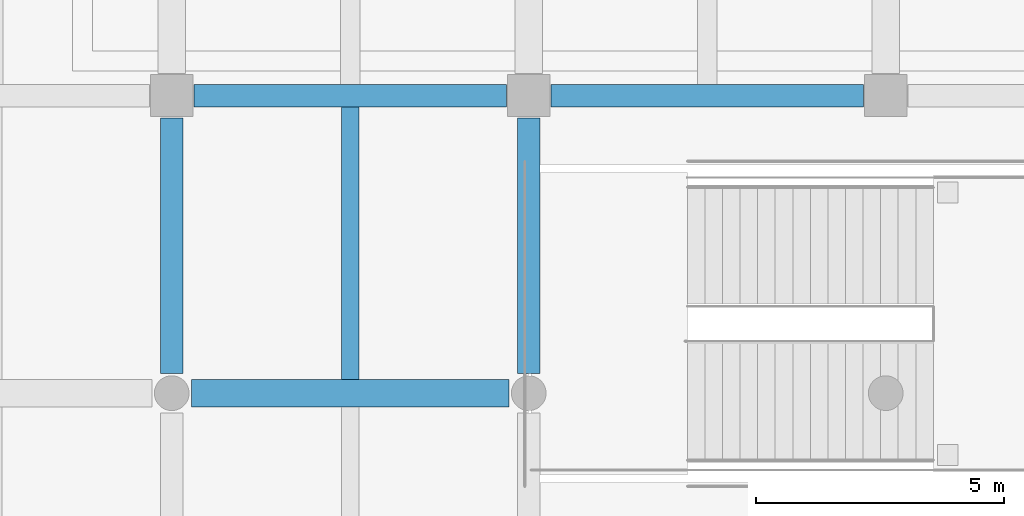
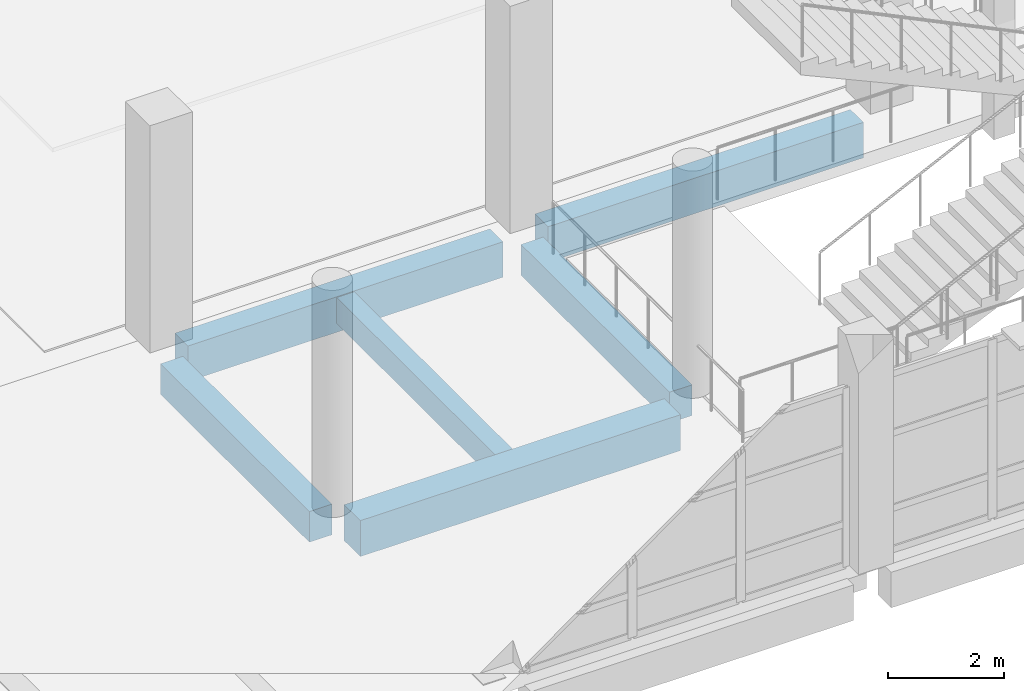
# One storey, part 34 of 91: 6 beams.
"""IFC4 building model written with IfcOpenShell, lengths in metres."""

from ifc_helpers import new_model, si_unit, direction, frame, origin, origin_2d, place, context, subcontext, project, spatial, rectangle, extrude, material, material_profile, profile_set, type_object, element, save


model = new_model("IFC4")

# Units and contexts
model_context = context("Model", 3, precision=1e-05, world=origin(), true_north=direction((0.0, 1.0)))
body_context = subcontext(model_context, "Body", "Model", "MODEL_VIEW")
ifc_project = project(units=[si_unit("LENGTHUNIT", "METRE"), si_unit("AREAUNIT", "SQUARE_METRE"), si_unit("VOLUMEUNIT", "CUBIC_METRE"), si_unit("PLANEANGLEUNIT", "RADIAN"), si_unit("MASSUNIT", "GRAM", prefix="KILO")], contexts=[model_context])

# Site, building, storey
site_placement = place(None, origin())
site = spatial("IfcSite", under=ifc_project, at=site_placement, CompositionType="ELEMENT")
building_placement = place(site_placement, origin())
building = spatial("IfcBuilding", under=site, at=building_placement, Name="Pellamere Symphony Hall", CompositionType="ELEMENT")
storey_placement = place(building_placement, frame((0.0, 0.0, 5.39990234375)))
storey = spatial("IfcBuildingStorey", under=building, at=storey_placement, Name="L01", CompositionType="ELEMENT", Elevation=5.39990234375)

# Beams
ifc_material_1 = material(Name="Concrete 40 MPa", Category="concrete")
ifc_material_profile_1 = material_profile(ifc_material_1, rectangle(XDim=0.449951171875, YDim=0.64990234375, at=origin_2d()), Name="RC 450x650")
ifc_profile_set_1 = profile_set([ifc_material_profile_1], Name="Concrete 40 MPa")
beam_type_1 = type_object("IfcBeamType", Name="RC CB-08 450x650", PredefinedType="BEAM", material=ifc_profile_set_1)
for number, where, z_axis, x_axis, name in (
    (1, (66.0, 24.39990234375, -0.60498046875), (0.0, 1.0, 0.0), (-1.0, 0.0, 0.0), "Girder CB-08-Y0770 (L01)"),
    (2, (73.199951171875, 24.39990234375, -0.60498046875), (0.0, 1.0, 0.0), (-1.0, 0.0, 0.0), "Girder CB-08-Y0776 (L01)"),
):
    element("IfcBeam", number, at=place(storey_placement, frame(where, z_axis=z_axis, x_axis=x_axis)), inside=storey, type_object=beam_type_1, Name=name, PredefinedType="BEAM", context=body_context, shape_type="SweptSolid", body=[
        extrude(rectangle(XDim=0.449951171875, YDim=0.64990234375, at=origin_2d()), origin(), (0.0, 0.0, 1.0), 5.150146484375),
    ])
ifc_material_2 = material(Name="Concrete 35 MPa", Category="concrete")
ifc_material_profile_2 = material_profile(ifc_material_2, rectangle(XDim=0.35009765625, YDim=0.550048828125, at=origin_2d()), Name="RC 350x550")
ifc_profile_set_2 = profile_set([ifc_material_profile_2], Name="Concrete 35 MPa")
beam_type_2 = type_object("IfcBeamType", Name="RC CB-10 350x550", PredefinedType="BEAM", material=ifc_profile_set_2)
beam_1_placement = place(storey_placement, frame((69.60009765625, 24.280029296875, -0.56982421875), z_axis=(0.0, 1.0, 0.0), x_axis=(-1.0, 0.0, 0.0)))
element("IfcBeam", 3, at=beam_1_placement, inside=storey, type_object=beam_type_2, Name="Secondary Floor Beam CB-10-M0803 (L01)", PredefinedType="BEAM", context=body_context, shape_type="SweptSolid", body=[
    extrude(rectangle(XDim=0.35009765625, YDim=0.550048828125, at=origin_2d()), origin(), (0.0, 0.0, 1.0), 5.494873046875),
])
ifc_material_profile_3 = material_profile(ifc_material_1, rectangle(XDim=0.449951171875, YDim=0.75, at=origin_2d()), Name="RC 450x750")
ifc_profile_set_3 = profile_set([ifc_material_profile_3], Name="Concrete 40 MPa")
beam_type_3 = type_object("IfcBeamType", Name="RC CB-12 450x750", PredefinedType="SPANDREL", material=ifc_profile_set_3)
for number, where, z_axis, x_axis, name in (
    (4, (66.449951171875, 30.0, -0.65478515625), (1.0, 0.0, 0.0), (0.0, 1.0, 0.0), "Girder CB-12-X0582 (L01)"),
    (5, (73.64990234375, 30.0, -0.65478515625), (1.0, 0.0, 0.0), (0.0, 1.0, 0.0), "Girder CB-12-X0583 (L01)"),
):
    element("IfcBeam", number, at=place(storey_placement, frame(where, z_axis=z_axis, x_axis=x_axis)), inside=storey, type_object=beam_type_3, Name=name, PredefinedType="SPANDREL", context=body_context, shape_type="SweptSolid", body=[
        extrude(rectangle(XDim=0.449951171875, YDim=0.75, at=origin_2d()), origin(), (0.0, 0.0, 1.0), 6.300048828125),
    ])
ifc_material_profile_4 = material_profile(ifc_material_1, rectangle(XDim=0.56005859375, YDim=0.760009765625, at=origin_2d()), Name="RC 560x760")
ifc_profile_set_4 = profile_set([ifc_material_profile_4], Name="Concrete 40 MPa")
beam_type_4 = type_object("IfcBeamType", Name="RC CB-18 560x760", PredefinedType="BEAM", material=ifc_profile_set_4)
beam_2_placement = place(storey_placement, frame((66.39990234375, 24.0, -0.659912109375), z_axis=(1.0, 0.0, 0.0), x_axis=(0.0, 1.0, 0.0)))
element("IfcBeam", 6, at=beam_2_placement, inside=storey, type_object=beam_type_4, Name="Girder CB-18-X0567 (L01)", PredefinedType="BEAM", context=body_context, shape_type="SweptSolid", body=[
    extrude(rectangle(XDim=0.56005859375, YDim=0.760009765625, at=origin_2d()), origin(), (0.0, 0.0, 1.0), 6.400146484375),
])

save(model, "model.ifc")
